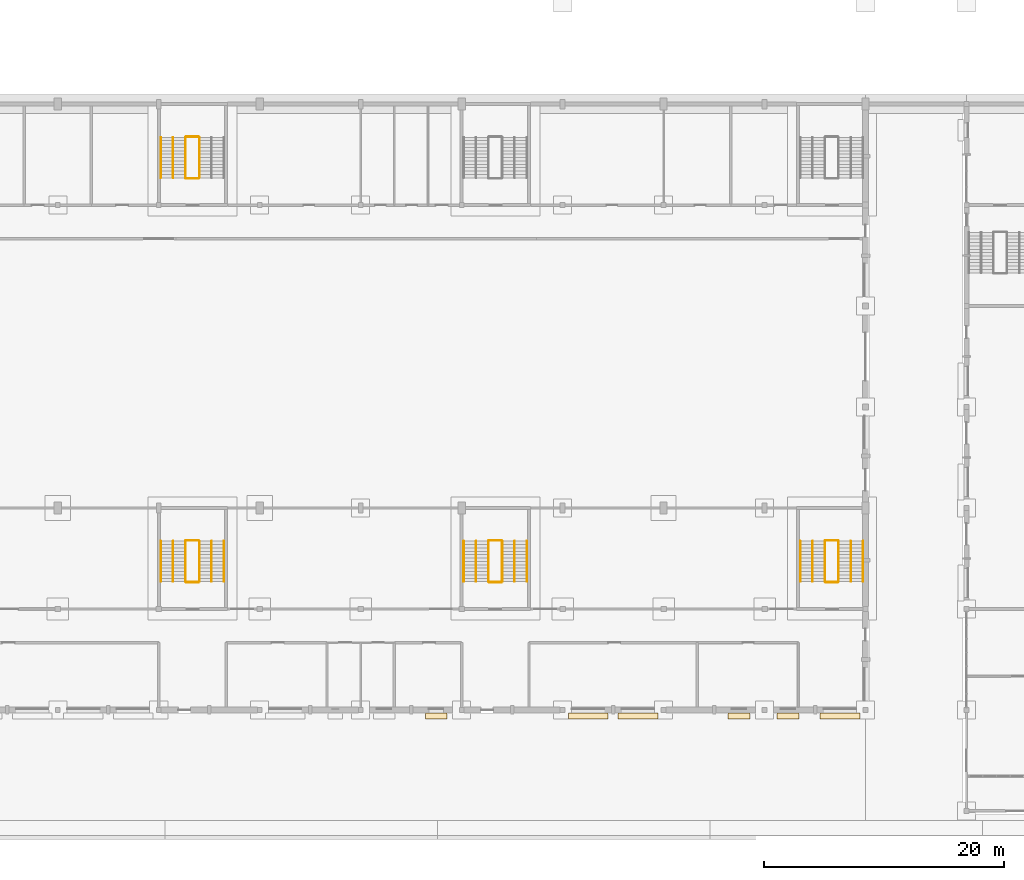
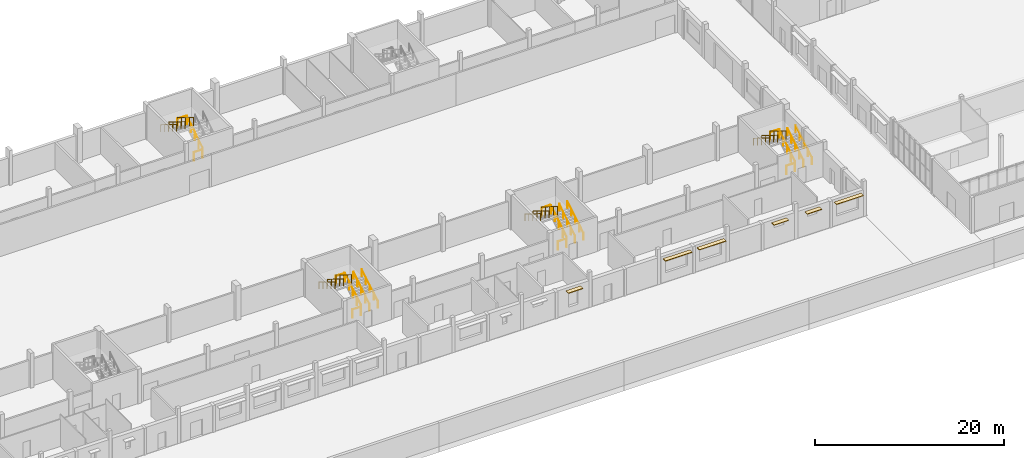
# One storey, part 33 of 36: 30 railings, 6 coverings.
"""IFC4 building model written with IfcOpenShell, lengths in metres."""

from ifc_helpers import new_model, si_unit, direction, frame, origin, origin_2d, place, context, subcontext, project, spatial, rectangle, circle, extrude, material, layer, layer_set, type_object, element, save


model = new_model("IFC4")

# Units and contexts
model_context = context("Model", 3, precision=1e-05, world=origin(), true_north=direction((0.0, 1.0)))
body_context = subcontext(model_context, "Body", "Model", "MODEL_VIEW")
ifc_project = project(units=[si_unit("LENGTHUNIT", "METRE"), si_unit("AREAUNIT", "SQUARE_METRE"), si_unit("VOLUMEUNIT", "CUBIC_METRE"), si_unit("PLANEANGLEUNIT", "RADIAN"), si_unit("MASSUNIT", "GRAM", prefix="KILO")], contexts=[model_context])

# Site, building, storey
site_placement = place(None, origin())
site = spatial("IfcSite", under=ifc_project, at=site_placement, CompositionType="ELEMENT")
building_placement = place(site_placement, origin())
building = spatial("IfcBuilding", under=site, at=building_placement, Name="Fescue Hill Polytechnic", CompositionType="ELEMENT")
storey_placement = place(building_placement, origin())
storey = spatial("IfcBuildingStorey", under=building, at=storey_placement, Name="L00", CompositionType="ELEMENT", Elevation=0.0)

# Coverings
ifc_material_1 = material(Name="Precast concrete C40/50", Category="concrete")
ifc_layer = layer(ifc_material_1, 0.080078125)
ifc_layer_set = layer_set([ifc_layer], Name="Precast concrete C40/50")
covering_type = type_object("IfcCoveringType", Name="Shade blade precast 500x80", PredefinedType="CLADDING", material=ifc_layer_set)
covering_1_placement = place(storey_placement, frame((81.875, -0.489990234375, 3.050048828125), z_axis=(0.0, 0.0, 1.0), x_axis=(1.0, 0.0, 0.0)))
element("IfcCovering", 1, at=covering_1_placement, inside=storey, type_object=covering_type, Name="SB-L00-V1-18", PredefinedType="CLADDING", context=body_context, shape_type="SweptSolid", body=[
    extrude(rectangle(XDim=1.800048828125, YDim=0.5, at=origin_2d()), origin(), (0.0, 0.0, 1.0), 0.080078125),
])
for number, where, z_axis, x_axis, name in (
    (2, (94.52490234375, -0.489990234375, 3.050048828125), (0.0, 0.0, 1.0), (1.0, 0.0, 0.0), "SB-L00-V1-19"),
    (3, (98.675048828125, -0.489990234375, 3.050048828125), (0.0, 0.0, 1.0), (1.0, 0.0, 0.0), "SB-L00-V1-20"),
):
    element("IfcCovering", number, at=place(storey_placement, frame(where, z_axis=z_axis, x_axis=x_axis)), inside=storey, type_object=covering_type, Name=name, PredefinedType="CLADDING", context=body_context, shape_type="SweptSolid", body=[
        extrude(rectangle(XDim=3.300048828125, YDim=0.5, at=origin_2d()), origin(), (0.0, 0.0, 1.0), 0.080078125),
    ])
for number, where, z_axis, x_axis, name in (
    (4, (107.074951171875, -0.489990234375, 3.050048828125), (0.0, 0.0, 1.0), (1.0, 0.0, 0.0), "SB-L00-V1-21"),
    (5, (111.14990234375, -0.489990234375, 3.050048828125), (0.0, 0.0, 1.0), (1.0, 0.0, 0.0), "SB-L00-V1-22"),
):
    element("IfcCovering", number, at=place(storey_placement, frame(where, z_axis=z_axis, x_axis=x_axis)), inside=storey, type_object=covering_type, Name=name, PredefinedType="CLADDING", context=body_context, shape_type="SweptSolid", body=[
        extrude(rectangle(XDim=1.800048828125, YDim=0.5, at=origin_2d()), origin(), (0.0, 0.0, 1.0), 0.080078125),
    ])
covering_2_placement = place(storey_placement, frame((115.47509765625, -0.489990234375, 3.050048828125), z_axis=(0.0, 0.0, 1.0), x_axis=(1.0, 0.0, 0.0)))
element("IfcCovering", 6, at=covering_2_placement, inside=storey, type_object=covering_type, Name="SB-L00-V1-23", PredefinedType="CLADDING", context=body_context, shape_type="SweptSolid", body=[
    extrude(rectangle(XDim=3.300048828125, YDim=0.5, at=origin_2d()), origin(), (0.0, 0.0, 1.0), 0.080078125),
])

# Railings
ifc_material_2 = material(Name="Steel 350W (350 MPa)", Category="steel")
railing_type_1 = type_object("IfcRailingType", Name="Stair guard steel 1100", PredefinedType="GUARDRAIL", material=ifc_material_2)
railing_1_placement = place(storey_placement, frame((62.175048828125, 10.675048828125, 0.173095703125)))
element("IfcRailing", 7, at=railing_1_placement, inside=storey, type_object=railing_type_1, Name="L00 ST-V1-3 stair guard 1", PredefinedType="GUARDRAIL", context=body_context, shape_type="SweptSolid", body=[
    extrude(circle(Radius=0.02392578125, at=origin_2d()), frame((0.0, 0.0, 1.076171875), z_axis=(0.0, 0.850606129759, 0.525803396734), x_axis=(-1.0, 0.0, 0.0)), (0.0, 0.0, 1.0), 3.949951171875),
    extrude(circle(Radius=0.02099609375, at=origin_2d()), origin(), (0.0, 0.0, 1.0), 1.052001953125),
    extrude(circle(Radius=0.02099609375, at=origin_2d()), frame((0.0, 0.83984375, 0.519287109375)), (0.0, 0.0, 1.0), 1.052001953125),
    extrude(circle(Radius=0.02099609375, at=origin_2d()), frame((0.0, 1.679931640625, 1.03857421875)), (0.0, 0.0, 1.0), 1.052001953125),
    extrude(circle(Radius=0.02099609375, at=origin_2d()), frame((0.0, 2.52001953125, 1.5576171875)), (0.0, 0.0, 1.0), 1.052001953125),
    extrude(circle(Radius=0.02099609375, at=origin_2d()), frame((0.0, 3.35986328125, 2.076904296875)), (0.0, 0.0, 1.0), 1.052001953125),
])
railing_2_placement = place(storey_placement, frame((62.125, 14.0849609375, 2.25)))
element("IfcRailing", 8, at=railing_2_placement, inside=storey, type_object=railing_type_1, Name="L00 ST-V1-3 stair guard 2", PredefinedType="GUARDRAIL", context=body_context, shape_type="SweptSolid", body=[
    extrude(circle(Radius=0.02392578125, at=origin_2d()), frame((0.0, 0.0, 1.076171875), z_axis=(-1.0, 0.0, 0.0), x_axis=(0.0, -1.0, 0.0)), (0.0, 0.0, 1.0), 1.050048828125),
    extrude(circle(Radius=0.02099609375, at=origin_2d()), origin(), (0.0, 0.0, 1.0), 1.052001953125),
    extrude(circle(Radius=0.02099609375, at=origin_2d()), frame((-1.050048828125, 0.0, 0.0)), (0.0, 0.0, 1.0), 1.052001953125),
])
railing_3_placement = place(storey_placement, frame((61.02490234375, 14.034912109375, 2.423095703125)))
element("IfcRailing", 9, at=railing_3_placement, inside=storey, type_object=railing_type_1, Name="L00 ST-V1-3 stair guard 3", PredefinedType="GUARDRAIL", context=body_context, shape_type="SweptSolid", body=[
    extrude(circle(Radius=0.02392578125, at=origin_2d()), frame((0.0, 0.0, 1.076171875), z_axis=(0.0, -0.850606129759, 0.525803396734), x_axis=(1.0, 0.0, 0.0)), (0.0, 0.0, 1.0), 3.949951171875),
    extrude(circle(Radius=0.02099609375, at=origin_2d()), origin(), (0.0, 0.0, 1.0), 1.052001953125),
    extrude(circle(Radius=0.02099609375, at=origin_2d()), frame((0.0, -0.83984375, 0.519287109375)), (0.0, 0.0, 1.0), 1.052001953125),
    extrude(circle(Radius=0.02099609375, at=origin_2d()), frame((0.0, -1.679931640625, 1.03857421875)), (0.0, 0.0, 1.0), 1.052001953125),
    extrude(circle(Radius=0.02099609375, at=origin_2d()), frame((0.0, -2.52001953125, 1.5576171875)), (0.0, 0.0, 1.0), 1.052001953125),
    extrude(circle(Radius=0.02099609375, at=origin_2d()), frame((0.0, -3.35986328125, 2.076904296875)), (0.0, 0.0, 1.0), 1.052001953125),
])
railing_4_placement = place(storey_placement, frame((62.125, 10.625, 0.0)))
element("IfcRailing", 10, at=railing_4_placement, inside=storey, type_object=railing_type_1, Name="L00 ST-V1-3 stair guard 4", PredefinedType="GUARDRAIL", context=body_context, shape_type="SweptSolid", body=[
    extrude(circle(Radius=0.02392578125, at=origin_2d()), frame((0.0, 0.0, 1.076171875), z_axis=(-1.0, 0.0, 0.0), x_axis=(0.0, -1.0, 0.0)), (0.0, 0.0, 1.0), 1.050048828125),
    extrude(circle(Radius=0.02099609375, at=origin_2d()), origin(), (0.0, 0.0, 1.0), 1.052001953125),
    extrude(circle(Radius=0.02099609375, at=origin_2d()), frame((-1.050048828125, 0.0, 0.0)), (0.0, 0.0, 1.0), 1.052001953125),
])
railing_5_placement = place(storey_placement, frame((87.375, 10.675048828125, 0.173095703125)))
element("IfcRailing", 11, at=railing_5_placement, inside=storey, type_object=railing_type_1, Name="L00 ST-V1-4 stair guard 1", PredefinedType="GUARDRAIL", context=body_context, shape_type="SweptSolid", body=[
    extrude(circle(Radius=0.02392578125, at=origin_2d()), frame((0.0, 0.0, 1.076171875), z_axis=(0.0, 0.850606129759, 0.525803396734), x_axis=(-1.0, 0.0, 0.0)), (0.0, 0.0, 1.0), 3.949951171875),
    extrude(circle(Radius=0.02099609375, at=origin_2d()), origin(), (0.0, 0.0, 1.0), 1.052001953125),
    extrude(circle(Radius=0.02099609375, at=origin_2d()), frame((0.0, 0.83984375, 0.519287109375)), (0.0, 0.0, 1.0), 1.052001953125),
    extrude(circle(Radius=0.02099609375, at=origin_2d()), frame((0.0, 1.679931640625, 1.03857421875)), (0.0, 0.0, 1.0), 1.052001953125),
    extrude(circle(Radius=0.02099609375, at=origin_2d()), frame((0.0, 2.52001953125, 1.5576171875)), (0.0, 0.0, 1.0), 1.052001953125),
    extrude(circle(Radius=0.02099609375, at=origin_2d()), frame((0.0, 3.35986328125, 2.076904296875)), (0.0, 0.0, 1.0), 1.052001953125),
])
railing_6_placement = place(storey_placement, frame((87.324951171875, 14.0849609375, 2.25)))
element("IfcRailing", 12, at=railing_6_placement, inside=storey, type_object=railing_type_1, Name="L00 ST-V1-4 stair guard 2", PredefinedType="GUARDRAIL", context=body_context, shape_type="SweptSolid", body=[
    extrude(circle(Radius=0.02392578125, at=origin_2d()), frame((0.0, 0.0, 1.076171875), z_axis=(-1.0, 0.0, 0.0), x_axis=(0.0, -1.0, 0.0)), (0.0, 0.0, 1.0), 1.050048828125),
    extrude(circle(Radius=0.02099609375, at=origin_2d()), origin(), (0.0, 0.0, 1.0), 1.052001953125),
    extrude(circle(Radius=0.02099609375, at=origin_2d()), frame((-1.050048828125, 0.0, 0.0)), (0.0, 0.0, 1.0), 1.052001953125),
])
railing_7_placement = place(storey_placement, frame((86.22509765625, 14.034912109375, 2.423095703125)))
element("IfcRailing", 13, at=railing_7_placement, inside=storey, type_object=railing_type_1, Name="L00 ST-V1-4 stair guard 3", PredefinedType="GUARDRAIL", context=body_context, shape_type="SweptSolid", body=[
    extrude(circle(Radius=0.02392578125, at=origin_2d()), frame((0.0, 0.0, 1.076171875), z_axis=(0.0, -0.850606129759, 0.525803396734), x_axis=(1.0, 0.0, 0.0)), (0.0, 0.0, 1.0), 3.949951171875),
    extrude(circle(Radius=0.02099609375, at=origin_2d()), origin(), (0.0, 0.0, 1.0), 1.052001953125),
    extrude(circle(Radius=0.02099609375, at=origin_2d()), frame((0.0, -0.83984375, 0.519287109375)), (0.0, 0.0, 1.0), 1.052001953125),
    extrude(circle(Radius=0.02099609375, at=origin_2d()), frame((0.0, -1.679931640625, 1.03857421875)), (0.0, 0.0, 1.0), 1.052001953125),
    extrude(circle(Radius=0.02099609375, at=origin_2d()), frame((0.0, -2.52001953125, 1.5576171875)), (0.0, 0.0, 1.0), 1.052001953125),
    extrude(circle(Radius=0.02099609375, at=origin_2d()), frame((0.0, -3.35986328125, 2.076904296875)), (0.0, 0.0, 1.0), 1.052001953125),
])
railing_8_placement = place(storey_placement, frame((87.324951171875, 10.625, 0.0)))
element("IfcRailing", 14, at=railing_8_placement, inside=storey, type_object=railing_type_1, Name="L00 ST-V1-4 stair guard 4", PredefinedType="GUARDRAIL", context=body_context, shape_type="SweptSolid", body=[
    extrude(circle(Radius=0.02392578125, at=origin_2d()), frame((0.0, 0.0, 1.076171875), z_axis=(-1.0, 0.0, 0.0), x_axis=(0.0, -1.0, 0.0)), (0.0, 0.0, 1.0), 1.050048828125),
    extrude(circle(Radius=0.02099609375, at=origin_2d()), origin(), (0.0, 0.0, 1.0), 1.052001953125),
    extrude(circle(Radius=0.02099609375, at=origin_2d()), frame((-1.050048828125, 0.0, 0.0)), (0.0, 0.0, 1.0), 1.052001953125),
])
railing_9_placement = place(storey_placement, frame((115.35009765625, 10.675048828125, 0.173095703125)))
element("IfcRailing", 15, at=railing_9_placement, inside=storey, type_object=railing_type_1, Name="L00 ST-V1-10 stair guard 1", PredefinedType="GUARDRAIL", context=body_context, shape_type="SweptSolid", body=[
    extrude(circle(Radius=0.02392578125, at=origin_2d()), frame((0.0, 0.0, 1.076171875), z_axis=(0.0, 0.850606129759, 0.525803396734), x_axis=(-1.0, 0.0, 0.0)), (0.0, 0.0, 1.0), 3.949951171875),
    extrude(circle(Radius=0.02099609375, at=origin_2d()), origin(), (0.0, 0.0, 1.0), 1.052001953125),
    extrude(circle(Radius=0.02099609375, at=origin_2d()), frame((0.0, 0.83984375, 0.519287109375)), (0.0, 0.0, 1.0), 1.052001953125),
    extrude(circle(Radius=0.02099609375, at=origin_2d()), frame((0.0, 1.679931640625, 1.03857421875)), (0.0, 0.0, 1.0), 1.052001953125),
    extrude(circle(Radius=0.02099609375, at=origin_2d()), frame((0.0, 2.52001953125, 1.5576171875)), (0.0, 0.0, 1.0), 1.052001953125),
    extrude(circle(Radius=0.02099609375, at=origin_2d()), frame((0.0, 3.35986328125, 2.076904296875)), (0.0, 0.0, 1.0), 1.052001953125),
])
railing_10_placement = place(storey_placement, frame((115.300048828125, 14.0849609375, 2.25)))
element("IfcRailing", 16, at=railing_10_placement, inside=storey, type_object=railing_type_1, Name="L00 ST-V1-10 stair guard 2", PredefinedType="GUARDRAIL", context=body_context, shape_type="SweptSolid", body=[
    extrude(circle(Radius=0.02392578125, at=origin_2d()), frame((0.0, 0.0, 1.076171875), z_axis=(-1.0, 0.0, 0.0), x_axis=(0.0, -1.0, 0.0)), (0.0, 0.0, 1.0), 1.025146484375),
    extrude(circle(Radius=0.02099609375, at=origin_2d()), origin(), (0.0, 0.0, 1.0), 1.052001953125),
    extrude(circle(Radius=0.02099609375, at=origin_2d()), frame((-1.025146484375, 0.0, 0.0)), (0.0, 0.0, 1.0), 1.052001953125),
])
railing_11_placement = place(storey_placement, frame((114.22509765625, 14.034912109375, 2.423095703125)))
element("IfcRailing", 17, at=railing_11_placement, inside=storey, type_object=railing_type_1, Name="L00 ST-V1-10 stair guard 3", PredefinedType="GUARDRAIL", context=body_context, shape_type="SweptSolid", body=[
    extrude(circle(Radius=0.02392578125, at=origin_2d()), frame((0.0, 0.0, 1.076171875), z_axis=(0.0, -0.850606129759, 0.525803396734), x_axis=(1.0, 0.0, 0.0)), (0.0, 0.0, 1.0), 3.949951171875),
    extrude(circle(Radius=0.02099609375, at=origin_2d()), origin(), (0.0, 0.0, 1.0), 1.052001953125),
    extrude(circle(Radius=0.02099609375, at=origin_2d()), frame((0.0, -0.83984375, 0.519287109375)), (0.0, 0.0, 1.0), 1.052001953125),
    extrude(circle(Radius=0.02099609375, at=origin_2d()), frame((0.0, -1.679931640625, 1.03857421875)), (0.0, 0.0, 1.0), 1.052001953125),
    extrude(circle(Radius=0.02099609375, at=origin_2d()), frame((0.0, -2.52001953125, 1.5576171875)), (0.0, 0.0, 1.0), 1.052001953125),
    extrude(circle(Radius=0.02099609375, at=origin_2d()), frame((0.0, -3.35986328125, 2.076904296875)), (0.0, 0.0, 1.0), 1.052001953125),
])
railing_12_placement = place(storey_placement, frame((115.300048828125, 10.625, 0.0)))
element("IfcRailing", 18, at=railing_12_placement, inside=storey, type_object=railing_type_1, Name="L00 ST-V1-10 stair guard 4", PredefinedType="GUARDRAIL", context=body_context, shape_type="SweptSolid", body=[
    extrude(circle(Radius=0.02392578125, at=origin_2d()), frame((0.0, 0.0, 1.076171875), z_axis=(-1.0, 0.0, 0.0), x_axis=(0.0, -1.0, 0.0)), (0.0, 0.0, 1.0), 1.025146484375),
    extrude(circle(Radius=0.02099609375, at=origin_2d()), origin(), (0.0, 0.0, 1.0), 1.052001953125),
    extrude(circle(Radius=0.02099609375, at=origin_2d()), frame((-1.025146484375, 0.0, 0.0)), (0.0, 0.0, 1.0), 1.052001953125),
])
railing_13_placement = place(storey_placement, frame((62.175048828125, 44.27490234375, 0.173095703125)))
element("IfcRailing", 19, at=railing_13_placement, inside=storey, type_object=railing_type_1, Name="L00 ST-V1-7 stair guard 1", PredefinedType="GUARDRAIL", context=body_context, shape_type="SweptSolid", body=[
    extrude(circle(Radius=0.02392578125, at=origin_2d()), frame((0.0, 0.0, 1.076171875), z_axis=(0.0, 0.850623216509, 0.525775754039), x_axis=(-1.0, 0.0, 0.0)), (0.0, 0.0, 1.0), 3.9501953125),
    extrude(circle(Radius=0.02099609375, at=origin_2d()), origin(), (0.0, 0.0, 1.0), 1.052001953125),
    extrude(circle(Radius=0.02099609375, at=origin_2d()), frame((0.0, 0.840087890625, 0.519287109375)), (0.0, 0.0, 1.0), 1.052001953125),
    extrude(circle(Radius=0.02099609375, at=origin_2d()), frame((0.0, 1.68017578125, 1.03857421875)), (0.0, 0.0, 1.0), 1.052001953125),
    extrude(circle(Radius=0.02099609375, at=origin_2d()), frame((0.0, 2.52001953125, 1.5576171875)), (0.0, 0.0, 1.0), 1.052001953125),
    extrude(circle(Radius=0.02099609375, at=origin_2d()), frame((0.0, 3.360107421875, 2.076904296875)), (0.0, 0.0, 1.0), 1.052001953125),
])
railing_14_placement = place(storey_placement, frame((62.125, 47.68505859375, 2.25)))
element("IfcRailing", 20, at=railing_14_placement, inside=storey, type_object=railing_type_1, Name="L00 ST-V1-7 stair guard 2", PredefinedType="GUARDRAIL", context=body_context, shape_type="SweptSolid", body=[
    extrude(circle(Radius=0.02392578125, at=origin_2d()), frame((0.0, 0.0, 1.076171875), z_axis=(-1.0, 0.0, 0.0), x_axis=(0.0, -1.0, 0.0)), (0.0, 0.0, 1.0), 1.050048828125),
    extrude(circle(Radius=0.02099609375, at=origin_2d()), origin(), (0.0, 0.0, 1.0), 1.052001953125),
    extrude(circle(Radius=0.02099609375, at=origin_2d()), frame((-1.050048828125, 0.0, 0.0)), (0.0, 0.0, 1.0), 1.052001953125),
])
railing_15_placement = place(storey_placement, frame((61.02490234375, 47.635009765625, 2.423095703125)))
element("IfcRailing", 21, at=railing_15_placement, inside=storey, type_object=railing_type_1, Name="L00 ST-V1-7 stair guard 3", PredefinedType="GUARDRAIL", context=body_context, shape_type="SweptSolid", body=[
    extrude(circle(Radius=0.02392578125, at=origin_2d()), frame((0.0, 0.0, 1.076171875), z_axis=(0.0, -0.850623216509, 0.525775754039), x_axis=(1.0, 0.0, 0.0)), (0.0, 0.0, 1.0), 3.9501953125),
    extrude(circle(Radius=0.02099609375, at=origin_2d()), origin(), (0.0, 0.0, 1.0), 1.052001953125),
    extrude(circle(Radius=0.02099609375, at=origin_2d()), frame((0.0, -0.840087890625, 0.519287109375)), (0.0, 0.0, 1.0), 1.052001953125),
    extrude(circle(Radius=0.02099609375, at=origin_2d()), frame((0.0, -1.68017578125, 1.03857421875)), (0.0, 0.0, 1.0), 1.052001953125),
    extrude(circle(Radius=0.02099609375, at=origin_2d()), frame((0.0, -2.52001953125, 1.5576171875)), (0.0, 0.0, 1.0), 1.052001953125),
    extrude(circle(Radius=0.02099609375, at=origin_2d()), frame((0.0, -3.360107421875, 2.076904296875)), (0.0, 0.0, 1.0), 1.052001953125),
])
railing_16_placement = place(storey_placement, frame((62.125, 44.22509765625, 0.0)))
element("IfcRailing", 22, at=railing_16_placement, inside=storey, type_object=railing_type_1, Name="L00 ST-V1-7 stair guard 4", PredefinedType="GUARDRAIL", context=body_context, shape_type="SweptSolid", body=[
    extrude(circle(Radius=0.02392578125, at=origin_2d()), frame((0.0, 0.0, 1.076171875), z_axis=(-1.0, 0.0, 0.0), x_axis=(0.0, -1.0, 0.0)), (0.0, 0.0, 1.0), 1.050048828125),
    extrude(circle(Radius=0.02099609375, at=origin_2d()), origin(), (0.0, 0.0, 1.0), 1.052001953125),
    extrude(circle(Radius=0.02099609375, at=origin_2d()), frame((-1.050048828125, 0.0, 0.0)), (0.0, 0.0, 1.0), 1.052001953125),
])
railing_type_2 = type_object("IfcRailingType", Name="Stair handrail steel 900", PredefinedType="HANDRAIL", material=ifc_material_2)
railing_17_placement = place(storey_placement, frame((64.22509765625, 10.675048828125, 0.173095703125)))
element("IfcRailing", 23, at=railing_17_placement, inside=storey, type_object=railing_type_2, Name="L00 ST-V1-3 stair handrail 1", PredefinedType="HANDRAIL", context=body_context, shape_type="SweptSolid", body=[
    extrude(circle(Radius=0.02392578125, at=origin_2d()), frame((0.0, 0.0, 0.8759765625), z_axis=(0.0, 0.850606129759, 0.525803396734), x_axis=(-1.0, 0.0, 0.0)), (0.0, 0.0, 1.0), 3.949951171875),
    extrude(circle(Radius=0.02099609375, at=origin_2d()), origin(), (0.0, 0.0, 1.0), 0.851806640625),
    extrude(circle(Radius=0.02099609375, at=origin_2d()), frame((0.0, 0.83984375, 0.519287109375)), (0.0, 0.0, 1.0), 0.851806640625),
    extrude(circle(Radius=0.02099609375, at=origin_2d()), frame((0.0, 1.679931640625, 1.03857421875)), (0.0, 0.0, 1.0), 0.851806640625),
    extrude(circle(Radius=0.02099609375, at=origin_2d()), frame((0.0, 2.52001953125, 1.5576171875)), (0.0, 0.0, 1.0), 0.851806640625),
    extrude(circle(Radius=0.02099609375, at=origin_2d()), frame((0.0, 3.35986328125, 2.076904296875)), (0.0, 0.0, 1.0), 0.851806640625),
])
railing_18_placement = place(storey_placement, frame((58.97509765625, 14.034912109375, 2.423095703125)))
element("IfcRailing", 24, at=railing_18_placement, inside=storey, type_object=railing_type_2, Name="L00 ST-V1-3 stair handrail 2", PredefinedType="HANDRAIL", context=body_context, shape_type="SweptSolid", body=[
    extrude(circle(Radius=0.02392578125, at=origin_2d()), frame((0.0, 0.0, 0.8759765625), z_axis=(0.0, -0.850606129759, 0.525803396734), x_axis=(1.0, 0.0, 0.0)), (0.0, 0.0, 1.0), 3.949951171875),
    extrude(circle(Radius=0.02099609375, at=origin_2d()), origin(), (0.0, 0.0, 1.0), 0.851806640625),
    extrude(circle(Radius=0.02099609375, at=origin_2d()), frame((0.0, -0.83984375, 0.519287109375)), (0.0, 0.0, 1.0), 0.851806640625),
    extrude(circle(Radius=0.02099609375, at=origin_2d()), frame((0.0, -1.679931640625, 1.03857421875)), (0.0, 0.0, 1.0), 0.851806640625),
    extrude(circle(Radius=0.02099609375, at=origin_2d()), frame((0.0, -2.52001953125, 1.5576171875)), (0.0, 0.0, 1.0), 0.851806640625),
    extrude(circle(Radius=0.02099609375, at=origin_2d()), frame((0.0, -3.35986328125, 2.076904296875)), (0.0, 0.0, 1.0), 0.851806640625),
])
railing_19_placement = place(storey_placement, frame((63.199951171875, 10.675048828125, 0.173095703125)))
element("IfcRailing", 25, at=railing_19_placement, inside=storey, type_object=railing_type_2, Name="L00 ST-V1-3 stair handrail 3", PredefinedType="HANDRAIL", context=body_context, shape_type="SweptSolid", body=[
    extrude(circle(Radius=0.02392578125, at=origin_2d()), frame((0.0, 0.0, 0.8759765625), z_axis=(0.0, 0.850606129759, 0.525803396734), x_axis=(-1.0, 0.0, 0.0)), (0.0, 0.0, 1.0), 3.949951171875),
    extrude(circle(Radius=0.02099609375, at=origin_2d()), origin(), (0.0, 0.0, 1.0), 0.851806640625),
    extrude(circle(Radius=0.02099609375, at=origin_2d()), frame((0.0, 0.83984375, 0.519287109375)), (0.0, 0.0, 1.0), 0.851806640625),
    extrude(circle(Radius=0.02099609375, at=origin_2d()), frame((0.0, 1.679931640625, 1.03857421875)), (0.0, 0.0, 1.0), 0.851806640625),
    extrude(circle(Radius=0.02099609375, at=origin_2d()), frame((0.0, 2.52001953125, 1.5576171875)), (0.0, 0.0, 1.0), 0.851806640625),
    extrude(circle(Radius=0.02099609375, at=origin_2d()), frame((0.0, 3.35986328125, 2.076904296875)), (0.0, 0.0, 1.0), 0.851806640625),
])
railing_20_placement = place(storey_placement, frame((60.0, 14.034912109375, 2.423095703125)))
element("IfcRailing", 26, at=railing_20_placement, inside=storey, type_object=railing_type_2, Name="L00 ST-V1-3 stair handrail 4", PredefinedType="HANDRAIL", context=body_context, shape_type="SweptSolid", body=[
    extrude(circle(Radius=0.02392578125, at=origin_2d()), frame((0.0, 0.0, 0.8759765625), z_axis=(0.0, -0.850606129759, 0.525803396734), x_axis=(1.0, 0.0, 0.0)), (0.0, 0.0, 1.0), 3.949951171875),
    extrude(circle(Radius=0.02099609375, at=origin_2d()), origin(), (0.0, 0.0, 1.0), 0.851806640625),
    extrude(circle(Radius=0.02099609375, at=origin_2d()), frame((0.0, -0.83984375, 0.519287109375)), (0.0, 0.0, 1.0), 0.851806640625),
    extrude(circle(Radius=0.02099609375, at=origin_2d()), frame((0.0, -1.679931640625, 1.03857421875)), (0.0, 0.0, 1.0), 0.851806640625),
    extrude(circle(Radius=0.02099609375, at=origin_2d()), frame((0.0, -2.52001953125, 1.5576171875)), (0.0, 0.0, 1.0), 0.851806640625),
    extrude(circle(Radius=0.02099609375, at=origin_2d()), frame((0.0, -3.35986328125, 2.076904296875)), (0.0, 0.0, 1.0), 0.851806640625),
])
railing_21_placement = place(storey_placement, frame((89.425048828125, 10.675048828125, 0.173095703125)))
element("IfcRailing", 27, at=railing_21_placement, inside=storey, type_object=railing_type_2, Name="L00 ST-V1-4 stair handrail 1", PredefinedType="HANDRAIL", context=body_context, shape_type="SweptSolid", body=[
    extrude(circle(Radius=0.02392578125, at=origin_2d()), frame((0.0, 0.0, 0.8759765625), z_axis=(0.0, 0.850606129759, 0.525803396734), x_axis=(-1.0, 0.0, 0.0)), (0.0, 0.0, 1.0), 3.949951171875),
    extrude(circle(Radius=0.02099609375, at=origin_2d()), origin(), (0.0, 0.0, 1.0), 0.851806640625),
    extrude(circle(Radius=0.02099609375, at=origin_2d()), frame((0.0, 0.83984375, 0.519287109375)), (0.0, 0.0, 1.0), 0.851806640625),
    extrude(circle(Radius=0.02099609375, at=origin_2d()), frame((0.0, 1.679931640625, 1.03857421875)), (0.0, 0.0, 1.0), 0.851806640625),
    extrude(circle(Radius=0.02099609375, at=origin_2d()), frame((0.0, 2.52001953125, 1.5576171875)), (0.0, 0.0, 1.0), 0.851806640625),
    extrude(circle(Radius=0.02099609375, at=origin_2d()), frame((0.0, 3.35986328125, 2.076904296875)), (0.0, 0.0, 1.0), 0.851806640625),
])
railing_22_placement = place(storey_placement, frame((84.175048828125, 14.034912109375, 2.423095703125)))
element("IfcRailing", 28, at=railing_22_placement, inside=storey, type_object=railing_type_2, Name="L00 ST-V1-4 stair handrail 2", PredefinedType="HANDRAIL", context=body_context, shape_type="SweptSolid", body=[
    extrude(circle(Radius=0.02392578125, at=origin_2d()), frame((0.0, 0.0, 0.8759765625), z_axis=(0.0, -0.850606129759, 0.525803396734), x_axis=(1.0, 0.0, 0.0)), (0.0, 0.0, 1.0), 3.949951171875),
    extrude(circle(Radius=0.02099609375, at=origin_2d()), origin(), (0.0, 0.0, 1.0), 0.851806640625),
    extrude(circle(Radius=0.02099609375, at=origin_2d()), frame((0.0, -0.83984375, 0.519287109375)), (0.0, 0.0, 1.0), 0.851806640625),
    extrude(circle(Radius=0.02099609375, at=origin_2d()), frame((0.0, -1.679931640625, 1.03857421875)), (0.0, 0.0, 1.0), 0.851806640625),
    extrude(circle(Radius=0.02099609375, at=origin_2d()), frame((0.0, -2.52001953125, 1.5576171875)), (0.0, 0.0, 1.0), 0.851806640625),
    extrude(circle(Radius=0.02099609375, at=origin_2d()), frame((0.0, -3.35986328125, 2.076904296875)), (0.0, 0.0, 1.0), 0.851806640625),
])
railing_23_placement = place(storey_placement, frame((88.39990234375, 10.675048828125, 0.173095703125)))
element("IfcRailing", 29, at=railing_23_placement, inside=storey, type_object=railing_type_2, Name="L00 ST-V1-4 stair handrail 3", PredefinedType="HANDRAIL", context=body_context, shape_type="SweptSolid", body=[
    extrude(circle(Radius=0.02392578125, at=origin_2d()), frame((0.0, 0.0, 0.8759765625), z_axis=(0.0, 0.850606129759, 0.525803396734), x_axis=(-1.0, 0.0, 0.0)), (0.0, 0.0, 1.0), 3.949951171875),
    extrude(circle(Radius=0.02099609375, at=origin_2d()), origin(), (0.0, 0.0, 1.0), 0.851806640625),
    extrude(circle(Radius=0.02099609375, at=origin_2d()), frame((0.0, 0.83984375, 0.519287109375)), (0.0, 0.0, 1.0), 0.851806640625),
    extrude(circle(Radius=0.02099609375, at=origin_2d()), frame((0.0, 1.679931640625, 1.03857421875)), (0.0, 0.0, 1.0), 0.851806640625),
    extrude(circle(Radius=0.02099609375, at=origin_2d()), frame((0.0, 2.52001953125, 1.5576171875)), (0.0, 0.0, 1.0), 0.851806640625),
    extrude(circle(Radius=0.02099609375, at=origin_2d()), frame((0.0, 3.35986328125, 2.076904296875)), (0.0, 0.0, 1.0), 0.851806640625),
])
railing_24_placement = place(storey_placement, frame((85.199951171875, 14.034912109375, 2.423095703125)))
element("IfcRailing", 30, at=railing_24_placement, inside=storey, type_object=railing_type_2, Name="L00 ST-V1-4 stair handrail 4", PredefinedType="HANDRAIL", context=body_context, shape_type="SweptSolid", body=[
    extrude(circle(Radius=0.02392578125, at=origin_2d()), frame((0.0, 0.0, 0.8759765625), z_axis=(0.0, -0.850606129759, 0.525803396734), x_axis=(1.0, 0.0, 0.0)), (0.0, 0.0, 1.0), 3.949951171875),
    extrude(circle(Radius=0.02099609375, at=origin_2d()), origin(), (0.0, 0.0, 1.0), 0.851806640625),
    extrude(circle(Radius=0.02099609375, at=origin_2d()), frame((0.0, -0.83984375, 0.519287109375)), (0.0, 0.0, 1.0), 0.851806640625),
    extrude(circle(Radius=0.02099609375, at=origin_2d()), frame((0.0, -1.679931640625, 1.03857421875)), (0.0, 0.0, 1.0), 0.851806640625),
    extrude(circle(Radius=0.02099609375, at=origin_2d()), frame((0.0, -2.52001953125, 1.5576171875)), (0.0, 0.0, 1.0), 0.851806640625),
    extrude(circle(Radius=0.02099609375, at=origin_2d()), frame((0.0, -3.35986328125, 2.076904296875)), (0.0, 0.0, 1.0), 0.851806640625),
])
railing_25_placement = place(storey_placement, frame((117.39990234375, 10.675048828125, 0.173095703125)))
element("IfcRailing", 31, at=railing_25_placement, inside=storey, type_object=railing_type_2, Name="L00 ST-V1-10 stair handrail 1", PredefinedType="HANDRAIL", context=body_context, shape_type="SweptSolid", body=[
    extrude(circle(Radius=0.02392578125, at=origin_2d()), frame((0.0, 0.0, 0.8759765625), z_axis=(0.0, 0.850606129759, 0.525803396734), x_axis=(-1.0, 0.0, 0.0)), (0.0, 0.0, 1.0), 3.949951171875),
    extrude(circle(Radius=0.02099609375, at=origin_2d()), origin(), (0.0, 0.0, 1.0), 0.851806640625),
    extrude(circle(Radius=0.02099609375, at=origin_2d()), frame((0.0, 0.83984375, 0.519287109375)), (0.0, 0.0, 1.0), 0.851806640625),
    extrude(circle(Radius=0.02099609375, at=origin_2d()), frame((0.0, 1.679931640625, 1.03857421875)), (0.0, 0.0, 1.0), 0.851806640625),
    extrude(circle(Radius=0.02099609375, at=origin_2d()), frame((0.0, 2.52001953125, 1.5576171875)), (0.0, 0.0, 1.0), 0.851806640625),
    extrude(circle(Radius=0.02099609375, at=origin_2d()), frame((0.0, 3.35986328125, 2.076904296875)), (0.0, 0.0, 1.0), 0.851806640625),
])
railing_26_placement = place(storey_placement, frame((112.175048828125, 14.034912109375, 2.423095703125)))
element("IfcRailing", 32, at=railing_26_placement, inside=storey, type_object=railing_type_2, Name="L00 ST-V1-10 stair handrail 2", PredefinedType="HANDRAIL", context=body_context, shape_type="SweptSolid", body=[
    extrude(circle(Radius=0.02392578125, at=origin_2d()), frame((0.0, 0.0, 0.8759765625), z_axis=(0.0, -0.850606129759, 0.525803396734), x_axis=(1.0, 0.0, 0.0)), (0.0, 0.0, 1.0), 3.949951171875),
    extrude(circle(Radius=0.02099609375, at=origin_2d()), origin(), (0.0, 0.0, 1.0), 0.851806640625),
    extrude(circle(Radius=0.02099609375, at=origin_2d()), frame((0.0, -0.83984375, 0.519287109375)), (0.0, 0.0, 1.0), 0.851806640625),
    extrude(circle(Radius=0.02099609375, at=origin_2d()), frame((0.0, -1.679931640625, 1.03857421875)), (0.0, 0.0, 1.0), 0.851806640625),
    extrude(circle(Radius=0.02099609375, at=origin_2d()), frame((0.0, -2.52001953125, 1.5576171875)), (0.0, 0.0, 1.0), 0.851806640625),
    extrude(circle(Radius=0.02099609375, at=origin_2d()), frame((0.0, -3.35986328125, 2.076904296875)), (0.0, 0.0, 1.0), 0.851806640625),
])
railing_27_placement = place(storey_placement, frame((116.375, 10.675048828125, 0.173095703125)))
element("IfcRailing", 33, at=railing_27_placement, inside=storey, type_object=railing_type_2, Name="L00 ST-V1-10 stair handrail 3", PredefinedType="HANDRAIL", context=body_context, shape_type="SweptSolid", body=[
    extrude(circle(Radius=0.02392578125, at=origin_2d()), frame((0.0, 0.0, 0.8759765625), z_axis=(0.0, 0.850606129759, 0.525803396734), x_axis=(-1.0, 0.0, 0.0)), (0.0, 0.0, 1.0), 3.949951171875),
    extrude(circle(Radius=0.02099609375, at=origin_2d()), origin(), (0.0, 0.0, 1.0), 0.851806640625),
    extrude(circle(Radius=0.02099609375, at=origin_2d()), frame((0.0, 0.83984375, 0.519287109375)), (0.0, 0.0, 1.0), 0.851806640625),
    extrude(circle(Radius=0.02099609375, at=origin_2d()), frame((0.0, 1.679931640625, 1.03857421875)), (0.0, 0.0, 1.0), 0.851806640625),
    extrude(circle(Radius=0.02099609375, at=origin_2d()), frame((0.0, 2.52001953125, 1.5576171875)), (0.0, 0.0, 1.0), 0.851806640625),
    extrude(circle(Radius=0.02099609375, at=origin_2d()), frame((0.0, 3.35986328125, 2.076904296875)), (0.0, 0.0, 1.0), 0.851806640625),
])
railing_28_placement = place(storey_placement, frame((113.199951171875, 14.034912109375, 2.423095703125)))
element("IfcRailing", 34, at=railing_28_placement, inside=storey, type_object=railing_type_2, Name="L00 ST-V1-10 stair handrail 4", PredefinedType="HANDRAIL", context=body_context, shape_type="SweptSolid", body=[
    extrude(circle(Radius=0.02392578125, at=origin_2d()), frame((0.0, 0.0, 0.8759765625), z_axis=(0.0, -0.850606129759, 0.525803396734), x_axis=(1.0, 0.0, 0.0)), (0.0, 0.0, 1.0), 3.949951171875),
    extrude(circle(Radius=0.02099609375, at=origin_2d()), origin(), (0.0, 0.0, 1.0), 0.851806640625),
    extrude(circle(Radius=0.02099609375, at=origin_2d()), frame((0.0, -0.83984375, 0.519287109375)), (0.0, 0.0, 1.0), 0.851806640625),
    extrude(circle(Radius=0.02099609375, at=origin_2d()), frame((0.0, -1.679931640625, 1.03857421875)), (0.0, 0.0, 1.0), 0.851806640625),
    extrude(circle(Radius=0.02099609375, at=origin_2d()), frame((0.0, -2.52001953125, 1.5576171875)), (0.0, 0.0, 1.0), 0.851806640625),
    extrude(circle(Radius=0.02099609375, at=origin_2d()), frame((0.0, -3.35986328125, 2.076904296875)), (0.0, 0.0, 1.0), 0.851806640625),
])
for number, where, name in (
    (35, (58.97509765625, 47.635009765625, 2.423095703125), "L00 ST-V1-7 stair handrail 2"),
    (36, (60.0, 47.635009765625, 2.423095703125), "L00 ST-V1-7 stair handrail 4"),
):
    element("IfcRailing", number, at=place(storey_placement, frame(where)), inside=storey, type_object=railing_type_2, Name=name, PredefinedType="HANDRAIL", context=body_context, shape_type="SweptSolid", body=[
        extrude(circle(Radius=0.02392578125, at=origin_2d()), frame((0.0, 0.0, 0.8759765625), z_axis=(0.0, -0.850623216509, 0.525775754039), x_axis=(1.0, 0.0, 0.0)), (0.0, 0.0, 1.0), 3.9501953125),
        extrude(circle(Radius=0.02099609375, at=origin_2d()), origin(), (0.0, 0.0, 1.0), 0.851806640625),
        extrude(circle(Radius=0.02099609375, at=origin_2d()), frame((0.0, -0.840087890625, 0.519287109375)), (0.0, 0.0, 1.0), 0.851806640625),
        extrude(circle(Radius=0.02099609375, at=origin_2d()), frame((0.0, -1.68017578125, 1.03857421875)), (0.0, 0.0, 1.0), 0.851806640625),
        extrude(circle(Radius=0.02099609375, at=origin_2d()), frame((0.0, -2.52001953125, 1.5576171875)), (0.0, 0.0, 1.0), 0.851806640625),
        extrude(circle(Radius=0.02099609375, at=origin_2d()), frame((0.0, -3.360107421875, 2.076904296875)), (0.0, 0.0, 1.0), 0.851806640625),
    ])

save(model, "model.ifc")
